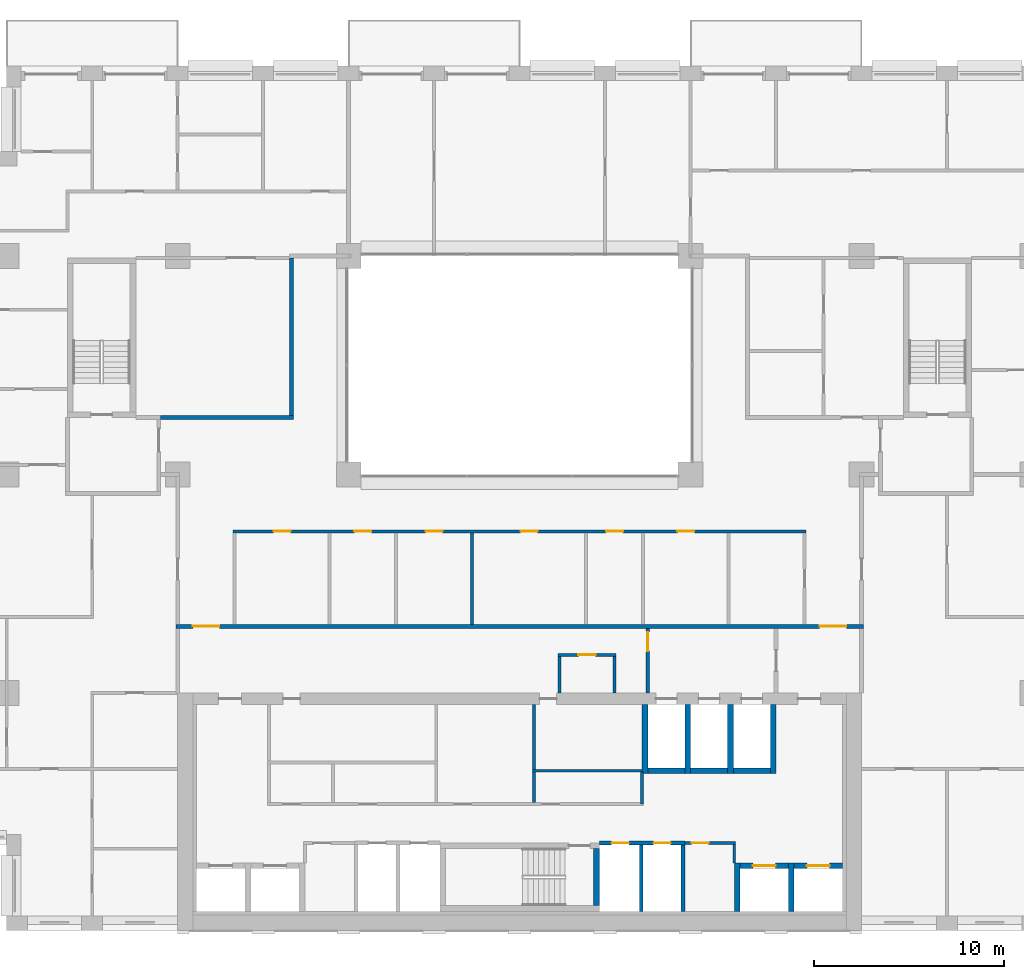
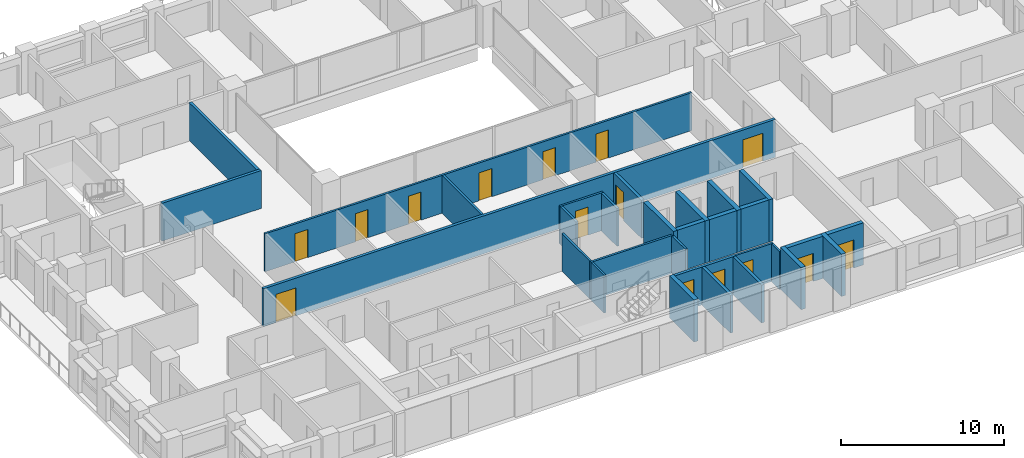
# One storey, part 10 of 16: 30 walls, 15 doors, 15 openings.
"""IFC4 building model written with IfcOpenShell, lengths in metres."""

from ifc_helpers import new_model, si_unit, direction, frame, frame_2d, origin, place, context, subcontext, project, spatial, rectangle, extrude, material, layer, layer_set, type_object, element, fill, save


model = new_model("IFC4")

# Units and contexts
model_context = context("Model", 3, precision=1e-05, world=origin(), true_north=direction((0.0, 1.0)))
body_context = subcontext(model_context, "Body", "Model", "MODEL_VIEW")
ifc_project = project(units=[si_unit("LENGTHUNIT", "METRE"), si_unit("AREAUNIT", "SQUARE_METRE"), si_unit("VOLUMEUNIT", "CUBIC_METRE"), si_unit("PLANEANGLEUNIT", "RADIAN"), si_unit("MASSUNIT", "GRAM", prefix="KILO")], contexts=[model_context])

# Site, building, storey
site_placement = place(None, origin())
site = spatial("IfcSite", under=ifc_project, at=site_placement, CompositionType="ELEMENT")
building_placement = place(site_placement, origin())
building = spatial("IfcBuilding", under=site, at=building_placement, Name="Brigalow Station Residences", CompositionType="ELEMENT")
storey_placement = place(building_placement, frame((0.0, 0.0, 99.300048828125)))
storey = spatial("IfcBuildingStorey", under=building, at=storey_placement, Name="L28", CompositionType="ELEMENT", Elevation=99.300048828125)

# Walls
ifc_material_1 = material(Name="Concrete C65", Category="concrete")
ifc_layer_1 = layer(ifc_material_1, 0.300048828125)
ifc_layer_set_1 = layer_set([ifc_layer_1], Name="CORE SHEAR WALL 300 C65")
wall_type_1 = type_object("IfcWallType", Name="CORE SHEAR WALL 300 C65", PredefinedType="SHEAR", material=ifc_layer_set_1)
wall_1_placement = place(storey_placement, frame((42.75, 8.39990234375, 0.0), z_axis=(0.0, 0.0, 1.0), x_axis=(1.0, 0.0, 0.0)))
element("IfcWall", 1, at=wall_1_placement, inside=storey, type_object=wall_type_1, Name="CORE WALL SH-FF1-S L28", PredefinedType="SHEAR", context=body_context, shape_type="SweptSolid", body=[
    extrude(rectangle(XDim=1.949951171875, YDim=0.300048828125, at=frame_2d((0.97509765625, 0.0))), origin(), (0.0, 0.0, 1.0), 3.14990234375),
])
wall_2_placement = place(storey_placement, frame((42.60009765625, 8.25, 0.0), z_axis=(0.0, 0.0, 1.0), x_axis=(0.0, 1.0, 0.0)))
element("IfcWall", 2, at=wall_2_placement, inside=storey, type_object=wall_type_1, Name="CORE WALL SH-FF1-W L28", PredefinedType="SHEAR", context=body_context, shape_type="SweptSolid", body=[
    extrude(rectangle(XDim=3.64990234375, YDim=0.300048828125, at=frame_2d((1.824951171875, 0.0))), origin(), (0.0, 0.0, 1.0), 3.14990234375),
])
wall_3_placement = place(storey_placement, frame((45.0, 8.39990234375, 0.0), z_axis=(0.0, 0.0, 1.0), x_axis=(1.0, 0.0, 0.0)))
element("IfcWall", 3, at=wall_3_placement, inside=storey, type_object=wall_type_1, Name="CORE WALL SH-FF2-S L28", PredefinedType="SHEAR", context=body_context, shape_type="SweptSolid", body=[
    extrude(rectangle(XDim=1.949951171875, YDim=0.300048828125, at=frame_2d((0.97509765625, 0.0))), origin(), (0.0, 0.0, 1.0), 3.14990234375),
])
wall_4_placement = place(storey_placement, frame((44.85009765625, 8.25, 0.0), z_axis=(0.0, 0.0, 1.0), x_axis=(0.0, 1.0, 0.0)))
element("IfcWall", 4, at=wall_4_placement, inside=storey, type_object=wall_type_1, Name="CORE WALL SH-FF2-W L28", PredefinedType="SHEAR", context=body_context, shape_type="SweptSolid", body=[
    extrude(rectangle(XDim=3.64990234375, YDim=0.300048828125, at=frame_2d((1.824951171875, 0.0))), origin(), (0.0, 0.0, 1.0), 3.14990234375),
])
wall_5_placement = place(storey_placement, frame((47.25, 8.39990234375, 0.0), z_axis=(0.0, 0.0, 1.0), x_axis=(1.0, 0.0, 0.0)))
element("IfcWall", 5, at=wall_5_placement, inside=storey, type_object=wall_type_1, Name="CORE WALL SH-SL1-S L28", PredefinedType="SHEAR", context=body_context, shape_type="SweptSolid", body=[
    extrude(rectangle(XDim=1.949951171875, YDim=0.300048828125, at=frame_2d((0.97509765625, 0.0))), origin(), (0.0, 0.0, 1.0), 3.14990234375),
])
for number, where, z_axis, x_axis, name in (
    (6, (47.10009765625, 8.25, 0.0), (0.0, 0.0, 1.0), (0.0, 1.0, 0.0), "CORE WALL SH-SL1-W L28"),
    (7, (49.35009765625, 8.25, 0.0), (0.0, 0.0, 1.0), (0.0, 1.0, 0.0), "CORE WALL SH-SL1-E L28"),
):
    element("IfcWall", number, at=place(storey_placement, frame(where, z_axis=z_axis, x_axis=x_axis)), inside=storey, type_object=wall_type_1, Name=name, PredefinedType="SHEAR", context=body_context, shape_type="SweptSolid", body=[
        extrude(rectangle(XDim=3.64990234375, YDim=0.300048828125, at=frame_2d((1.824951171875, 0.0))), origin(), (0.0, 0.0, 1.0), 3.14990234375),
    ])

# Wall, opening, door
wall_6_placement = place(storey_placement, frame((47.60009765625, 3.39990234375, 0.0), z_axis=(0.0, 0.0, 1.0), x_axis=(1.0, 0.0, 0.0)))
wall_6 = element("IfcWall", 8, at=wall_6_placement, inside=storey, type_object=wall_type_1, Name="CORE WALL SH-C3-N L28", PredefinedType="SHEAR", context=body_context, shape_type="SweptSolid", body=[
    extrude(rectangle(XDim=2.5498046875, YDim=0.300048828125, at=frame_2d((1.27490234375, 0.0))), origin(), (0.0, 0.0, 1.0), 3.14990234375),
])
opening_1_placement = place(wall_6_placement, frame((0.675048828125, 0.0, 0.0)))
opening_1 = element("IfcOpeningElement", 9, at=opening_1_placement, cuts=wall_6, Name="Opening LD-LB3", PredefinedType="OPENING", context=body_context, shape_type="SweptSolid", body=[
    extrude(rectangle(XDim=1.199951171875, YDim=2.10009765625, at=frame_2d((0.60009765625, 1.050048828125))), frame((0.0, 0.16015625, 0.0), z_axis=(0.0, -1.0, 0.0), x_axis=(1.0, 0.0, 0.0)), (0.0, 0.0, 1.0), 0.320068359375),
])
ifc_material_2 = material(Name="Stainless steel sliding door leaves", Category="steel")
door_type_1 = type_object("IfcDoorType", Name="LIFT LANDING DOOR 1200 x 2100", OperationType="DOUBLE_DOOR_SLIDING", PredefinedType="DOOR", material=ifc_material_2)
door_1_placement = place(opening_1_placement, origin())
door_1 = element("IfcDoor", 10, at=door_1_placement, inside=storey, type_object=door_type_1, Name="LANDING DOOR LB3", OperationType="DOUBLE_DOOR_SLIDING", OverallHeight=2.10009765625, OverallWidth=1.199951171875, PredefinedType="DOOR", context=body_context, shape_type="SweptSolid", body=[
    extrude(rectangle(XDim=1.199951171875, YDim=2.10009765625, at=frame_2d((0.60009765625, 1.050048828125))), frame((0.0, 0.02490234375, 0.0), z_axis=(0.0, -1.0, 0.0), x_axis=(1.0, 0.0, 0.0)), (0.0, 0.0, 1.0), 0.050048828125),
])
fill(opening_1, door_1)

# Wall
wall_7_placement = place(storey_placement, frame((47.449951171875, 1.0, 0.0), z_axis=(0.0, 0.0, 1.0), x_axis=(0.0, 1.0, 0.0)))
element("IfcWall", 11, at=wall_7_placement, inside=storey, type_object=wall_type_1, Name="CORE WALL SH-C3-W L28", PredefinedType="SHEAR", context=body_context, shape_type="SweptSolid", body=[
    extrude(rectangle(XDim=2.550048828125, YDim=0.300048828125, at=frame_2d((1.27490234375, 0.0))), origin(), (0.0, 0.0, 1.0), 3.14990234375),
])

# Wall, opening, door
wall_8_placement = place(storey_placement, frame((50.449951171875, 3.39990234375, 0.0), z_axis=(0.0, 0.0, 1.0), x_axis=(1.0, 0.0, 0.0)))
wall_8 = element("IfcWall", 12, at=wall_8_placement, inside=storey, type_object=wall_type_1, Name="CORE WALL SH-C4-N L28", PredefinedType="SHEAR", context=body_context, shape_type="SweptSolid", body=[
    extrude(rectangle(XDim=2.550048828125, YDim=0.300048828125, at=frame_2d((1.27490234375, 0.0))), origin(), (0.0, 0.0, 1.0), 3.14990234375),
])
opening_2_placement = place(wall_8_placement, frame((0.675048828125, 0.0, 0.0)))
opening_2 = element("IfcOpeningElement", 13, at=opening_2_placement, cuts=wall_8, Name="Opening LD-LB4", PredefinedType="OPENING", context=body_context, shape_type="SweptSolid", body=[
    extrude(rectangle(XDim=1.199951171875, YDim=2.10009765625, at=frame_2d((0.60009765625, 1.050048828125))), frame((0.0, 0.16015625, 0.0), z_axis=(0.0, -1.0, 0.0), x_axis=(1.0, 0.0, 0.0)), (0.0, 0.0, 1.0), 0.320068359375),
])
door_2_placement = place(opening_2_placement, origin())
door_2 = element("IfcDoor", 14, at=door_2_placement, inside=storey, type_object=door_type_1, Name="LANDING DOOR LB4", OperationType="DOUBLE_DOOR_SLIDING", OverallHeight=2.10009765625, OverallWidth=1.199951171875, PredefinedType="DOOR", context=body_context, shape_type="SweptSolid", body=[
    extrude(rectangle(XDim=1.199951171875, YDim=2.10009765625, at=frame_2d((0.60009765625, 1.050048828125))), frame((0.0, 0.02490234375, 0.0), z_axis=(0.0, -1.0, 0.0), x_axis=(1.0, 0.0, 0.0)), (0.0, 0.0, 1.0), 0.050048828125),
])
fill(opening_2, door_2)

# Walls
wall_9_placement = place(storey_placement, frame((50.300048828125, 1.0, 0.0), z_axis=(0.0, 0.0, 1.0), x_axis=(0.0, 1.0, 0.0)))
element("IfcWall", 15, at=wall_9_placement, inside=storey, type_object=wall_type_1, Name="CORE WALL SH-C4-W L28", PredefinedType="SHEAR", context=body_context, shape_type="SweptSolid", body=[
    extrude(rectangle(XDim=2.550048828125, YDim=0.300048828125, at=frame_2d((1.27490234375, 0.0))), origin(), (0.0, 0.0, 1.0), 3.14990234375),
])
wall_10_placement = place(storey_placement, frame((40.050048828125, 1.300048828125, 0.0), z_axis=(0.0, 0.0, 1.0), x_axis=(0.0, 1.0, 0.0)))
element("IfcWall", 16, at=wall_10_placement, inside=storey, type_object=wall_type_1, Name="CORE WALL ST-S2-E L28", PredefinedType="SHEAR", context=body_context, shape_type="SweptSolid", body=[
    extrude(rectangle(XDim=3.0, YDim=0.300048828125, at=frame_2d((1.5, 0.0))), origin(), (0.0, 0.0, 1.0), 3.14990234375),
])

# Wall, openings, doors
ifc_material_3 = material(Name="Concrete blockwork", Category="masonry")
ifc_layer_2 = layer(ifc_material_3, 0.199951171875)
ifc_layer_set_2 = layer_set([ifc_layer_2], Name="FIRE RATED CORE PARTITION 200")
wall_type_2 = type_object("IfcWallType", Name="FIRE RATED CORE PARTITION 200", PredefinedType="PARTITIONING", material=ifc_layer_set_2)
wall_11_placement = place(storey_placement, frame((40.199951171875, 4.60009765625, 0.0), z_axis=(0.0, 0.0, 1.0), x_axis=(1.0, 0.0, 0.0)))
wall_11 = element("IfcWall", 17, at=wall_11_placement, inside=storey, type_object=wall_type_2, Name="PW-5018", PredefinedType="PARTITIONING", context=body_context, shape_type="SweptSolid", body=[
    extrude(rectangle(XDim=4.5, YDim=0.199951171875, at=frame_2d((2.25, 0.0))), origin(), (0.0, 0.0, 1.0), 2.829833984375),
])
opening_3_placement = place(wall_11_placement, frame((0.64990234375, 0.0, 0.0)))
opening_3 = element("IfcOpeningElement", 18, at=opening_3_placement, cuts=wall_11, Name="Opening D-5009", PredefinedType="OPENING", context=body_context, shape_type="SweptSolid", body=[
    extrude(rectangle(XDim=0.89990234375, YDim=2.10009765625, at=frame_2d((0.449951171875, 1.050048828125))), frame((0.0, 0.10986328125, 0.0), z_axis=(0.0, -1.0, 0.0), x_axis=(1.0, 0.0, 0.0)), (0.0, 0.0, 1.0), 0.219970703125),
])
opening_4_placement = place(wall_11_placement, frame((2.85009765625, 0.0, 0.0)))
opening_4 = element("IfcOpeningElement", 19, at=opening_4_placement, cuts=wall_11, Name="Opening D-5010", PredefinedType="OPENING", context=body_context, shape_type="SweptSolid", body=[
    extrude(rectangle(XDim=0.89990234375, YDim=2.10009765625, at=frame_2d((0.449951171875, 1.050048828125))), frame((0.0, 0.10986328125, 0.0), z_axis=(0.0, -1.0, 0.0), x_axis=(1.0, 0.0, 0.0)), (0.0, 0.0, 1.0), 0.219970703125),
])
ifc_material_4 = material(Name="Steel fire door leaf in steel frame", Category="steel")
door_type_2 = type_object("IfcDoorType", Name="RISER ACCESS DOOR 900 x 2100 FD120", OperationType="SINGLE_SWING_LEFT", PredefinedType="DOOR", material=ifc_material_4)
door_3_placement = place(opening_3_placement, frame((0.89990234375, 0.0, 0.0), z_axis=(0.0, 0.0, 1.0), x_axis=(-1.0, 0.0, 0.0)))
door_3 = element("IfcDoor", 20, at=door_3_placement, inside=storey, type_object=door_type_2, Name="D-5009", OperationType="SINGLE_SWING_LEFT", OverallHeight=2.10009765625, OverallWidth=0.89990234375, PredefinedType="DOOR", context=body_context, shape_type="SweptSolid", body=[
    extrude(rectangle(XDim=0.89990234375, YDim=2.10009765625, at=frame_2d((0.449951171875, 1.050048828125))), frame((0.0, 0.02490234375, 0.0), z_axis=(0.0, -1.0, 0.0), x_axis=(1.0, 0.0, 0.0)), (0.0, 0.0, 1.0), 0.050048828125),
])
fill(opening_3, door_3)
door_4_placement = place(opening_4_placement, frame((0.89990234375, 0.0, 0.0), z_axis=(0.0, 0.0, 1.0), x_axis=(-1.0, 0.0, 0.0)))
door_4 = element("IfcDoor", 21, at=door_4_placement, inside=storey, type_object=door_type_2, Name="D-5010", OperationType="SINGLE_SWING_LEFT", OverallHeight=2.10009765625, OverallWidth=0.89990234375, PredefinedType="DOOR", context=body_context, shape_type="SweptSolid", body=[
    extrude(rectangle(XDim=0.89990234375, YDim=2.10009765625, at=frame_2d((0.449951171875, 1.050048828125))), frame((0.0, 0.02490234375, 0.0), z_axis=(0.0, -1.0, 0.0), x_axis=(1.0, 0.0, 0.0)), (0.0, 0.0, 1.0), 0.050048828125),
])
fill(opening_4, door_4)

# Walls
for number, where, z_axis, x_axis, name in (
    (22, (42.39990234375, 1.0, 0.0), (0.0, 0.0, 1.0), (0.0, 1.0, 0.0), "PW-5007"),
    (23, (44.60009765625, 1.0, 0.0), (0.0, 0.0, 1.0), (0.0, 1.0, 0.0), "PW-5008"),
):
    element("IfcWall", number, at=place(storey_placement, frame(where, z_axis=z_axis, x_axis=x_axis)), inside=storey, type_object=wall_type_2, Name=name, PredefinedType="PARTITIONING", context=body_context, shape_type="SweptSolid", body=[
        extrude(rectangle(XDim=3.5, YDim=0.199951171875, at=frame_2d((1.75, 0.0))), origin(), (0.0, 0.0, 1.0), 2.829833984375),
    ])

# Wall, opening, door
wall_12_placement = place(storey_placement, frame((42.75, 12.5, 0.0), z_axis=(0.0, 0.0, 1.0), x_axis=(0.0, 1.0, 0.0)))
wall_12 = element("IfcWall", 24, at=wall_12_placement, inside=storey, type_object=wall_type_2, Name="PW-5014", PredefinedType="PARTITIONING", context=body_context, shape_type="SweptSolid", body=[
    extrude(rectangle(XDim=3.39990234375, YDim=0.199951171875, at=frame_2d((1.699951171875, 0.0))), origin(), (0.0, 0.0, 1.0), 2.829833984375),
])
opening_5_placement = place(wall_12_placement, frame((2.199951171875, 0.0, 0.0)))
opening_5 = element("IfcOpeningElement", 25, at=opening_5_placement, cuts=wall_12, Name="Opening D-5013", PredefinedType="OPENING", context=body_context, shape_type="SweptSolid", body=[
    extrude(rectangle(XDim=1.0, YDim=2.10009765625, at=frame_2d((0.5, 1.050048828125))), frame((0.0, 0.10986328125, 0.0), z_axis=(0.0, -1.0, 0.0), x_axis=(1.0, 0.0, 0.0)), (0.0, 0.0, 1.0), 0.219970703125),
])
ifc_material_5 = material(Name="Steel fire door leaf in steel frame", Category="steel")
door_type_3 = type_object("IfcDoorType", Name="LOBBY DOOR 1000 x 2100 FD60S", OperationType="SINGLE_SWING_LEFT", PredefinedType="DOOR", material=ifc_material_5)
door_5_placement = place(opening_5_placement, origin())
door_5 = element("IfcDoor", 26, at=door_5_placement, inside=storey, type_object=door_type_3, Name="D-5013", OperationType="SINGLE_SWING_RIGHT", OverallHeight=2.10009765625, OverallWidth=1.0, PredefinedType="DOOR", context=body_context, shape_type="SweptSolid", body=[
    extrude(rectangle(XDim=1.0, YDim=2.10009765625, at=frame_2d((0.5, 1.050048828125))), frame((0.0, 0.02490234375, 0.0), z_axis=(0.0, -1.0, 0.0), x_axis=(1.0, 0.0, 0.0)), (0.0, 0.0, 1.0), 0.050048828125),
])
fill(opening_5, door_5)

# Wall, openings, doors
ifc_material_6 = material(Name="Plasterboard on steel stud partition", Category="steel")
ifc_layer_3 = layer(ifc_material_6, 0.14990234375)
ifc_layer_set_3 = layer_set([ifc_layer_3], Name="FLAT PARTITION 150")
wall_type_3 = type_object("IfcWallType", Name="FLAT PARTITION 150", PredefinedType="PARTITIONING", material=ifc_layer_set_3)
wall_13_placement = place(storey_placement, frame((20.925048828125, 21.0, 0.0), z_axis=(0.0, 0.0, 1.0), x_axis=(1.0, 0.0, 0.0)))
wall_13 = element("IfcWall", 27, at=wall_13_placement, inside=storey, type_object=wall_type_3, Name="PW-2B01", PredefinedType="PARTITIONING", context=body_context, shape_type="SweptSolid", body=[
    extrude(rectangle(XDim=30.14990234375, YDim=0.14990234375, at=frame_2d((15.074951171875, 0.0))), origin(), (0.0, 0.0, 1.0), 2.829833984375),
])
opening_6_placement = place(wall_13_placement, frame((2.125, 0.0, 0.0)))
opening_6 = element("IfcOpeningElement", 28, at=opening_6_placement, cuts=wall_13, Name="Opening D-2B47", PredefinedType="OPENING", context=body_context, shape_type="SweptSolid", body=[
    extrude(rectangle(XDim=0.89990234375, YDim=2.10009765625, at=frame_2d((0.449951171875, 1.050048828125))), frame((0.0, 0.0849609375, 0.0), z_axis=(0.0, -1.0, 0.0), x_axis=(1.0, 0.0, 0.0)), (0.0, 0.0, 1.0), 0.169921875),
])
opening_7_placement = place(wall_13_placement, frame((6.375, 0.0, 0.0)))
opening_7 = element("IfcOpeningElement", 29, at=opening_7_placement, cuts=wall_13, Name="Opening D-2B48", PredefinedType="OPENING", context=body_context, shape_type="SweptSolid", body=[
    extrude(rectangle(XDim=0.89990234375, YDim=2.10009765625, at=frame_2d((0.449951171875, 1.050048828125))), frame((0.0, 0.0849609375, 0.0), z_axis=(0.0, -1.0, 0.0), x_axis=(1.0, 0.0, 0.0)), (0.0, 0.0, 1.0), 0.169921875),
])
opening_8_placement = place(wall_13_placement, frame((10.125, 0.0, 0.0)))
opening_8 = element("IfcOpeningElement", 30, at=opening_8_placement, cuts=wall_13, Name="Opening D-2B49", PredefinedType="OPENING", context=body_context, shape_type="SweptSolid", body=[
    extrude(rectangle(XDim=0.89990234375, YDim=2.10009765625, at=frame_2d((0.449951171875, 1.050048828125))), frame((0.0, 0.0849609375, 0.0), z_axis=(0.0, -1.0, 0.0), x_axis=(1.0, 0.0, 0.0)), (0.0, 0.0, 1.0), 0.169921875),
])
opening_9_placement = place(wall_13_placement, frame((15.125, 0.0, 0.0)))
opening_9 = element("IfcOpeningElement", 31, at=opening_9_placement, cuts=wall_13, Name="Opening D-2B50", PredefinedType="OPENING", context=body_context, shape_type="SweptSolid", body=[
    extrude(rectangle(XDim=0.89990234375, YDim=2.10009765625, at=frame_2d((0.449951171875, 1.050048828125))), frame((0.0, 0.0849609375, 0.0), z_axis=(0.0, -1.0, 0.0), x_axis=(1.0, 0.0, 0.0)), (0.0, 0.0, 1.0), 0.169921875),
])
opening_10_placement = place(wall_13_placement, frame((19.625, 0.0, 0.0)))
opening_10 = element("IfcOpeningElement", 32, at=opening_10_placement, cuts=wall_13, Name="Opening D-2B51", PredefinedType="OPENING", context=body_context, shape_type="SweptSolid", body=[
    extrude(rectangle(XDim=0.89990234375, YDim=2.10009765625, at=frame_2d((0.449951171875, 1.050048828125))), frame((0.0, 0.0849609375, 0.0), z_axis=(0.0, -1.0, 0.0), x_axis=(1.0, 0.0, 0.0)), (0.0, 0.0, 1.0), 0.169921875),
])
opening_11_placement = place(wall_13_placement, frame((23.375, 0.0, 0.0)))
opening_11 = element("IfcOpeningElement", 33, at=opening_11_placement, cuts=wall_13, Name="Opening D-2B52", PredefinedType="OPENING", context=body_context, shape_type="SweptSolid", body=[
    extrude(rectangle(XDim=0.89990234375, YDim=2.10009765625, at=frame_2d((0.449951171875, 1.050048828125))), frame((0.0, 0.0849609375, 0.0), z_axis=(0.0, -1.0, 0.0), x_axis=(1.0, 0.0, 0.0)), (0.0, 0.0, 1.0), 0.169921875),
])
ifc_material_7 = material(Name="Solid-core timber door leaf", Category="wood")
door_type_4 = type_object("IfcDoorType", Name="INTERNAL DOOR 900 x 2100", OperationType="SINGLE_SWING_LEFT", PredefinedType="DOOR", material=ifc_material_7)
door_6_placement = place(opening_6_placement, frame((0.89990234375, 0.0, 0.0), z_axis=(0.0, 0.0, 1.0), x_axis=(-1.0, 0.0, 0.0)))
door_6 = element("IfcDoor", 34, at=door_6_placement, inside=storey, type_object=door_type_4, Name="D-2B47", OperationType="SINGLE_SWING_RIGHT", OverallHeight=2.10009765625, OverallWidth=0.89990234375, PredefinedType="DOOR", context=body_context, shape_type="SweptSolid", body=[
    extrude(rectangle(XDim=0.89990234375, YDim=2.10009765625, at=frame_2d((0.449951171875, 1.050048828125))), frame((0.0, 0.02490234375, 0.0), z_axis=(0.0, -1.0, 0.0), x_axis=(1.0, 0.0, 0.0)), (0.0, 0.0, 1.0), 0.050048828125),
])
fill(opening_6, door_6)
door_7_placement = place(opening_7_placement, frame((0.89990234375, 0.0, 0.0), z_axis=(0.0, 0.0, 1.0), x_axis=(-1.0, 0.0, 0.0)))
door_7 = element("IfcDoor", 35, at=door_7_placement, inside=storey, type_object=door_type_4, Name="D-2B48", OperationType="SINGLE_SWING_LEFT", OverallHeight=2.10009765625, OverallWidth=0.89990234375, PredefinedType="DOOR", context=body_context, shape_type="SweptSolid", body=[
    extrude(rectangle(XDim=0.89990234375, YDim=2.10009765625, at=frame_2d((0.449951171875, 1.050048828125))), frame((0.0, 0.02490234375, 0.0), z_axis=(0.0, -1.0, 0.0), x_axis=(1.0, 0.0, 0.0)), (0.0, 0.0, 1.0), 0.050048828125),
])
fill(opening_7, door_7)
door_8_placement = place(opening_8_placement, frame((0.89990234375, 0.0, 0.0), z_axis=(0.0, 0.0, 1.0), x_axis=(-1.0, 0.0, 0.0)))
door_8 = element("IfcDoor", 36, at=door_8_placement, inside=storey, type_object=door_type_4, Name="D-2B49", OperationType="SINGLE_SWING_LEFT", OverallHeight=2.10009765625, OverallWidth=0.89990234375, PredefinedType="DOOR", context=body_context, shape_type="SweptSolid", body=[
    extrude(rectangle(XDim=0.89990234375, YDim=2.10009765625, at=frame_2d((0.449951171875, 1.050048828125))), frame((0.0, 0.02490234375, 0.0), z_axis=(0.0, -1.0, 0.0), x_axis=(1.0, 0.0, 0.0)), (0.0, 0.0, 1.0), 0.050048828125),
])
fill(opening_8, door_8)
door_9_placement = place(opening_9_placement, frame((0.89990234375, 0.0, 0.0), z_axis=(0.0, 0.0, 1.0), x_axis=(-1.0, 0.0, 0.0)))
door_9 = element("IfcDoor", 37, at=door_9_placement, inside=storey, type_object=door_type_4, Name="D-2B50", OperationType="SINGLE_SWING_RIGHT", OverallHeight=2.10009765625, OverallWidth=0.89990234375, PredefinedType="DOOR", context=body_context, shape_type="SweptSolid", body=[
    extrude(rectangle(XDim=0.89990234375, YDim=2.10009765625, at=frame_2d((0.449951171875, 1.050048828125))), frame((0.0, 0.02490234375, 0.0), z_axis=(0.0, -1.0, 0.0), x_axis=(1.0, 0.0, 0.0)), (0.0, 0.0, 1.0), 0.050048828125),
])
fill(opening_9, door_9)
door_10_placement = place(opening_10_placement, frame((0.89990234375, 0.0, 0.0), z_axis=(0.0, 0.0, 1.0), x_axis=(-1.0, 0.0, 0.0)))
door_10 = element("IfcDoor", 38, at=door_10_placement, inside=storey, type_object=door_type_4, Name="D-2B51", OperationType="SINGLE_SWING_LEFT", OverallHeight=2.10009765625, OverallWidth=0.89990234375, PredefinedType="DOOR", context=body_context, shape_type="SweptSolid", body=[
    extrude(rectangle(XDim=0.89990234375, YDim=2.10009765625, at=frame_2d((0.449951171875, 1.050048828125))), frame((0.0, 0.02490234375, 0.0), z_axis=(0.0, -1.0, 0.0), x_axis=(1.0, 0.0, 0.0)), (0.0, 0.0, 1.0), 0.050048828125),
])
fill(opening_10, door_10)
door_11_placement = place(opening_11_placement, frame((0.89990234375, 0.0, 0.0), z_axis=(0.0, 0.0, 1.0), x_axis=(-1.0, 0.0, 0.0)))
door_11 = element("IfcDoor", 39, at=door_11_placement, inside=storey, type_object=door_type_4, Name="D-2B52", OperationType="SINGLE_SWING_LEFT", OverallHeight=2.10009765625, OverallWidth=0.89990234375, PredefinedType="DOOR", context=body_context, shape_type="SweptSolid", body=[
    extrude(rectangle(XDim=0.89990234375, YDim=2.10009765625, at=frame_2d((0.449951171875, 1.050048828125))), frame((0.0, 0.02490234375, 0.0), z_axis=(0.0, -1.0, 0.0), x_axis=(1.0, 0.0, 0.0)), (0.0, 0.0, 1.0), 0.050048828125),
])
fill(opening_11, door_11)

# Walls
wall_14_placement = place(storey_placement, frame((33.5, 16.10009765625, 0.0), z_axis=(0.0, 0.0, 1.0), x_axis=(0.0, 1.0, 0.0)))
element("IfcWall", 40, at=wall_14_placement, inside=storey, type_object=wall_type_3, Name="PW-2B71", PredefinedType="PARTITIONING", context=body_context, shape_type="SweptSolid", body=[
    extrude(rectangle(XDim=4.824951171875, YDim=0.14990234375, at=frame_2d((2.41259765625, 0.0))), origin(), (0.0, 0.0, 1.0), 2.829833984375),
])
ifc_material_8 = material(Name="Plasterboard on steel stud partition", Category="steel")
ifc_layer_4 = layer(ifc_material_8, 0.199951171875)
ifc_layer_set_4 = layer_set([ifc_layer_4], Name="PARTY AND CORRIDOR WALL 200")
wall_type_4 = type_object("IfcWallType", Name="PARTY AND CORRIDOR WALL 200", PredefinedType="PARTITIONING", material=ifc_layer_set_4)
wall_15_placement = place(storey_placement, frame((17.10009765625, 27.0, 0.0), z_axis=(0.0, 0.0, 1.0), x_axis=(1.0, 0.0, 0.0)))
element("IfcWall", 41, at=wall_15_placement, inside=storey, type_object=wall_type_4, Name="PW-2B05", PredefinedType="PARTITIONING", context=body_context, shape_type="SweptSolid", body=[
    extrude(rectangle(XDim=7.0, YDim=0.199951171875, at=frame_2d((3.5, 0.0))), origin(), (0.0, 0.0, 1.0), 2.829833984375),
])

# Wall, openings, doors
wall_16_placement = place(storey_placement, frame((17.89990234375, 16.0, 0.0), z_axis=(0.0, 0.0, 1.0), x_axis=(1.0, 0.0, 0.0)))
wall_16 = element("IfcWall", 42, at=wall_16_placement, inside=storey, type_object=wall_type_4, Name="PW-2B37", PredefinedType="PARTITIONING", context=body_context, shape_type="SweptSolid", body=[
    extrude(rectangle(XDim=36.2001953125, YDim=0.199951171875, at=frame_2d((18.10009765625, 0.0))), origin(), (0.0, 0.0, 1.0), 2.829833984375),
])
opening_12_placement = place(wall_16_placement, frame((0.89990234375, 0.0, 0.0)))
opening_12 = element("IfcOpeningElement", 43, at=opening_12_placement, cuts=wall_16, Name="Opening D-2B01", PredefinedType="OPENING", context=body_context, shape_type="SweptSolid", body=[
    extrude(rectangle(XDim=1.39990234375, YDim=2.10009765625, at=frame_2d((0.699951171875, 1.050048828125))), frame((0.0, 0.10986328125, 0.0), z_axis=(0.0, -1.0, 0.0), x_axis=(1.0, 0.0, 0.0)), (0.0, 0.0, 1.0), 0.219970703125),
])
opening_13_placement = place(wall_16_placement, frame((33.89990234375, 0.0, 0.0)))
opening_13 = element("IfcOpeningElement", 44, at=opening_13_placement, cuts=wall_16, Name="Opening D-2B02", PredefinedType="OPENING", context=body_context, shape_type="SweptSolid", body=[
    extrude(rectangle(XDim=1.39990234375, YDim=2.10009765625, at=frame_2d((0.699951171875, 1.050048828125))), frame((0.0, 0.10986328125, 0.0), z_axis=(0.0, -1.0, 0.0), x_axis=(1.0, 0.0, 0.0)), (0.0, 0.0, 1.0), 0.219970703125),
])
ifc_material_9 = material(Name="Solid-core timber door leaf", Category="wood")
door_type_5 = type_object("IfcDoorType", Name="CORRIDOR FIRE DOOR 1400 x 2100 FRL -/60/30", OperationType="DOUBLE_DOOR_SINGLE_SWING", PredefinedType="DOOR", material=ifc_material_9)
door_12_placement = place(opening_12_placement, frame((1.39990234375, 0.0, 0.0), z_axis=(0.0, 0.0, 1.0), x_axis=(-1.0, 0.0, 0.0)))
door_12 = element("IfcDoor", 45, at=door_12_placement, inside=storey, type_object=door_type_5, Name="D-2B01", OperationType="DOUBLE_DOOR_SINGLE_SWING", OverallHeight=2.10009765625, OverallWidth=1.39990234375, PredefinedType="DOOR", context=body_context, shape_type="SweptSolid", body=[
    extrude(rectangle(XDim=1.39990234375, YDim=2.10009765625, at=frame_2d((0.699951171875, 1.050048828125))), frame((0.0, 0.02490234375, 0.0), z_axis=(0.0, -1.0, 0.0), x_axis=(1.0, 0.0, 0.0)), (0.0, 0.0, 1.0), 0.050048828125),
])
fill(opening_12, door_12)
door_13_placement = place(opening_13_placement, frame((1.39990234375, 0.0, 0.0), z_axis=(0.0, 0.0, 1.0), x_axis=(-1.0, 0.0, 0.0)))
door_13 = element("IfcDoor", 46, at=door_13_placement, inside=storey, type_object=door_type_5, Name="D-2B02", OperationType="DOUBLE_DOOR_SINGLE_SWING", OverallHeight=2.10009765625, OverallWidth=1.39990234375, PredefinedType="DOOR", context=body_context, shape_type="SweptSolid", body=[
    extrude(rectangle(XDim=1.39990234375, YDim=2.10009765625, at=frame_2d((0.699951171875, 1.050048828125))), frame((0.0, 0.02490234375, 0.0), z_axis=(0.0, -1.0, 0.0), x_axis=(1.0, 0.0, 0.0)), (0.0, 0.0, 1.0), 0.050048828125),
])
fill(opening_13, door_13)

# Wall
wall_17_placement = place(storey_placement, frame((24.0, 27.10009765625, 0.0), z_axis=(0.0, 0.0, 1.0), x_axis=(0.0, 1.0, 0.0)))
element("IfcWall", 47, at=wall_17_placement, inside=storey, type_object=wall_type_4, Name="PW-2B43", PredefinedType="PARTITIONING", context=body_context, shape_type="SweptSolid", body=[
    extrude(rectangle(XDim=8.2998046875, YDim=0.199951171875, at=frame_2d((4.14990234375, 0.0))), origin(), (0.0, 0.0, 1.0), 2.829833984375),
])

# Wall, opening, door
ifc_material_10 = material(Name="Plasterboard on steel studs", Category="steel")
ifc_layer_5 = layer(ifc_material_10, 0.14990234375)
ifc_layer_set_5 = layer_set([ifc_layer_5], Name="SERVICE ROOM PARTITION 150")
wall_type_5 = type_object("IfcWallType", Name="SERVICE ROOM PARTITION 150", PredefinedType="PARTITIONING", material=ifc_layer_set_5)
wall_18_placement = place(storey_placement, frame((44.699951171875, 4.60009765625, 0.0), z_axis=(0.0, 0.0, 1.0), x_axis=(1.0, 0.0, 0.0)))
wall_18 = element("IfcWall", 48, at=wall_18_placement, inside=storey, type_object=wall_type_5, Name="PW-5156", PredefinedType="PARTITIONING", context=body_context, shape_type="SweptSolid", body=[
    extrude(rectangle(XDim=2.675048828125, YDim=0.14990234375, at=frame_2d((1.33740234375, 0.0))), origin(), (0.0, 0.0, 1.0), 2.829833984375),
])
opening_14_placement = place(wall_18_placement, frame((0.35009765625, 0.0, 0.0)))
opening_14 = element("IfcOpeningElement", 49, at=opening_14_placement, cuts=wall_18, Name="Opening D-5026", PredefinedType="OPENING", context=body_context, shape_type="SweptSolid", body=[
    extrude(rectangle(XDim=0.89990234375, YDim=2.10009765625, at=frame_2d((0.449951171875, 1.050048828125))), frame((0.0, 0.0849609375, 0.0), z_axis=(0.0, -1.0, 0.0), x_axis=(1.0, 0.0, 0.0)), (0.0, 0.0, 1.0), 0.169921875),
])
ifc_material_11 = material(Name="Steel door leaf in steel frame", Category="steel")
door_type_6 = type_object("IfcDoorType", Name="SERVICE ROOM DOOR 900 x 2100 FD60", OperationType="SINGLE_SWING_LEFT", PredefinedType="DOOR", material=ifc_material_11)
door_14_placement = place(opening_14_placement, frame((0.89990234375, 0.0, 0.0), z_axis=(0.0, 0.0, 1.0), x_axis=(-1.0, 0.0, 0.0)))
door_14 = element("IfcDoor", 50, at=door_14_placement, inside=storey, type_object=door_type_6, Name="D-5026", OperationType="SINGLE_SWING_RIGHT", OverallHeight=2.10009765625, OverallWidth=0.89990234375, PredefinedType="DOOR", context=body_context, shape_type="SweptSolid", body=[
    extrude(rectangle(XDim=0.89990234375, YDim=2.10009765625, at=frame_2d((0.449951171875, 1.050048828125))), frame((0.0, 0.02490234375, 0.0), z_axis=(0.0, -1.0, 0.0), x_axis=(1.0, 0.0, 0.0)), (0.0, 0.0, 1.0), 0.050048828125),
])
fill(opening_14, door_14)

# Wall
wall_19_placement = place(storey_placement, frame((36.675048828125, 8.39990234375, 0.0), z_axis=(0.0, 0.0, 1.0), x_axis=(1.0, 0.0, 0.0)))
element("IfcWall", 51, at=wall_19_placement, inside=storey, type_object=wall_type_5, Name="PW-5204", PredefinedType="PARTITIONING", context=body_context, shape_type="SweptSolid", body=[
    extrude(rectangle(XDim=5.77490234375, YDim=0.14990234375, at=frame_2d((2.887451171875, 0.0))), origin(), (0.0, 0.0, 1.0), 2.829833984375),
])

# Wall, opening, door
wall_20_placement = place(storey_placement, frame((38.02490234375, 14.5, 0.0), z_axis=(0.0, 0.0, 1.0), x_axis=(1.0, 0.0, 0.0)))
wall_20 = element("IfcWall", 52, at=wall_20_placement, inside=storey, type_object=wall_type_5, Name="PW-5138", PredefinedType="PARTITIONING", context=body_context, shape_type="SweptSolid", body=[
    extrude(rectangle(XDim=3.050048828125, YDim=0.14990234375, at=frame_2d((1.52490234375, 0.0))), origin(), (0.0, 0.0, 1.0), 2.829833984375),
])
opening_15_placement = place(wall_20_placement, frame((1.074951171875, 0.0, 0.0)))
opening_15 = element("IfcOpeningElement", 53, at=opening_15_placement, cuts=wall_20, Name="Opening D-5079", PredefinedType="OPENING", context=body_context, shape_type="SweptSolid", body=[
    extrude(rectangle(XDim=0.89990234375, YDim=2.10009765625, at=frame_2d((0.449951171875, 1.050048828125))), frame((0.0, 0.0849609375, 0.0), z_axis=(0.0, -1.0, 0.0), x_axis=(1.0, 0.0, 0.0)), (0.0, 0.0, 1.0), 0.169921875),
])
door_15_placement = place(opening_15_placement, frame((0.89990234375, 0.0, 0.0), z_axis=(0.0, 0.0, 1.0), x_axis=(-1.0, 0.0, 0.0)))
door_15 = element("IfcDoor", 54, at=door_15_placement, inside=storey, type_object=door_type_6, Name="D-5079", OperationType="SINGLE_SWING_RIGHT", OverallHeight=2.10009765625, OverallWidth=0.89990234375, PredefinedType="DOOR", context=body_context, shape_type="SweptSolid", body=[
    extrude(rectangle(XDim=0.89990234375, YDim=2.10009765625, at=frame_2d((0.449951171875, 1.050048828125))), frame((0.0, 0.02490234375, 0.0), z_axis=(0.0, -1.0, 0.0), x_axis=(1.0, 0.0, 0.0)), (0.0, 0.0, 1.0), 0.050048828125),
])
fill(opening_15, door_15)

# Walls
wall_21_placement = place(storey_placement, frame((47.300048828125, 3.550048828125, 0.0), z_axis=(0.0, 0.0, 1.0), x_axis=(0.0, 1.0, 0.0)))
element("IfcWall", 55, at=wall_21_placement, inside=storey, type_object=wall_type_5, Name="PW-5158", PredefinedType="PARTITIONING", context=body_context, shape_type="SweptSolid", body=[
    extrude(rectangle(XDim=0.974853515625, YDim=0.14990234375, at=frame_2d((0.4873046875, 0.0))), origin(), (0.0, 0.0, 1.0), 2.829833984375),
])
wall_22_placement = place(storey_placement, frame((42.449951171875, 6.64990234375, 0.0), z_axis=(0.0, 0.0, 1.0), x_axis=(0.0, 1.0, 0.0)))
element("IfcWall", 56, at=wall_22_placement, inside=storey, type_object=wall_type_5, Name="PW-5206", PredefinedType="PARTITIONING", context=body_context, shape_type="SweptSolid", body=[
    extrude(rectangle(XDim=1.675048828125, YDim=0.14990234375, at=frame_2d((0.83740234375, 0.0))), origin(), (0.0, 0.0, 1.0), 2.829833984375),
])
wall_23_placement = place(storey_placement, frame((36.75, 6.72509765625, 0.0), z_axis=(0.0, 0.0, 1.0), x_axis=(0.0, 1.0, 0.0)))
element("IfcWall", 57, at=wall_23_placement, inside=storey, type_object=wall_type_5, Name="PW-5210", PredefinedType="PARTITIONING", context=body_context, shape_type="SweptSolid", body=[
    extrude(rectangle(XDim=1.599853515625, YDim=0.14990234375, at=frame_2d((0.7998046875, 0.0))), origin(), (0.0, 0.0, 1.0), 2.829833984375),
])
wall_24_placement = place(storey_placement, frame((36.75, 8.47509765625, 0.0), z_axis=(0.0, 0.0, 1.0), x_axis=(0.0, 1.0, 0.0)))
element("IfcWall", 58, at=wall_24_placement, inside=storey, type_object=wall_type_5, Name="PW-5211", PredefinedType="PARTITIONING", context=body_context, shape_type="SweptSolid", body=[
    extrude(rectangle(XDim=3.4248046875, YDim=0.14990234375, at=frame_2d((1.71240234375, 0.0))), origin(), (0.0, 0.0, 1.0), 2.829833984375),
])
for number, where, z_axis, x_axis, name in (
    (59, (38.10009765625, 12.5, 0.0), (0.0, 0.0, 1.0), (0.0, 1.0, 0.0), "PW-5139"),
    (60, (41.0, 12.5, 0.0), (0.0, 0.0, 1.0), (0.0, 1.0, 0.0), "PW-5140"),
):
    element("IfcWall", number, at=place(storey_placement, frame(where, z_axis=z_axis, x_axis=x_axis)), inside=storey, type_object=wall_type_5, Name=name, PredefinedType="PARTITIONING", context=body_context, shape_type="SweptSolid", body=[
        extrude(rectangle(XDim=1.925048828125, YDim=0.14990234375, at=frame_2d((0.96240234375, 0.0))), origin(), (0.0, 0.0, 1.0), 2.829833984375),
    ])

save(model, "model.ifc")
